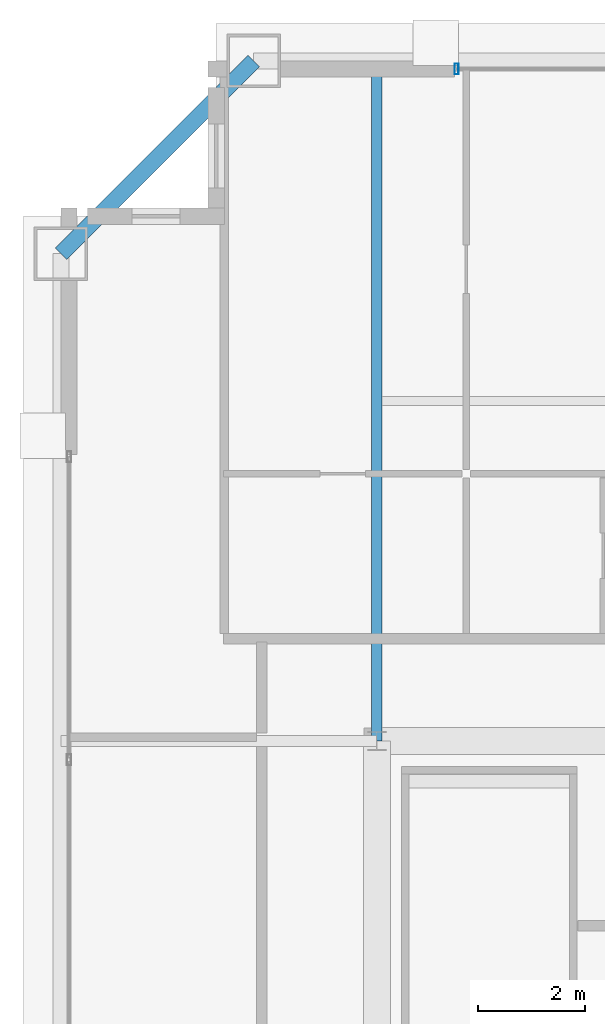
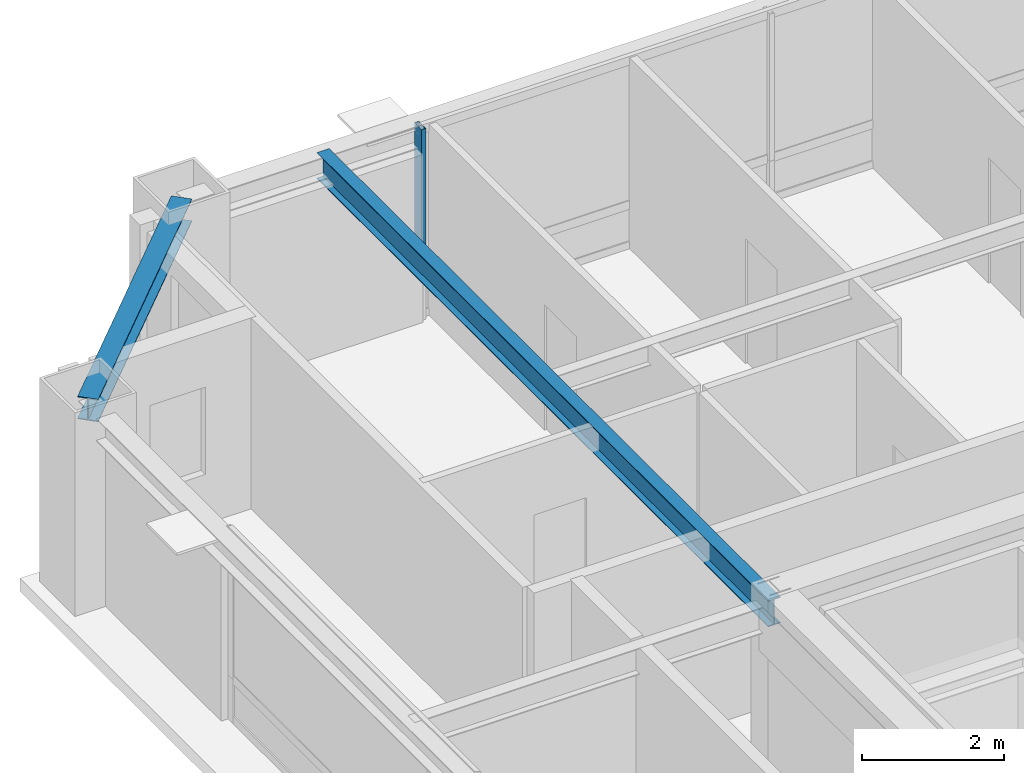
# One storey, part 16 of 35: 2 beams, 1 member, 1 element without a shape of its own.
"""IFC4 building model written with IfcOpenShell, lengths in metres."""

from ifc_helpers import new_model, si_unit, direction, frame, origin, origin_2d, place, context, subcontext, project, spatial, hollow_rectangle, i_section, extrude, source, transform, mapped, material, layer, layer_set, material_profile, profile_set, type_object, element, aggregate, save


model = new_model("IFC4")

# Units and contexts
model_context = context("Model", 3, precision=1e-05, world=origin(), true_north=direction((0.0, 1.0)))
body_context = subcontext(model_context, "Body", "Model", "MODEL_VIEW")
ifc_project = project(units=[si_unit("LENGTHUNIT", "METRE"), si_unit("AREAUNIT", "SQUARE_METRE"), si_unit("VOLUMEUNIT", "CUBIC_METRE"), si_unit("PLANEANGLEUNIT", "RADIAN"), si_unit("MASSUNIT", "GRAM", prefix="KILO"), si_unit("THERMODYNAMICTEMPERATUREUNIT", "KELVIN"), si_unit("POWERUNIT", "WATT")], contexts=[model_context])

# Site, building, storey
site_placement = place(None, origin())
site = spatial("IfcSite", under=ifc_project, at=site_placement, CompositionType="ELEMENT")
building_placement = place(site_placement, origin())
building = spatial("IfcBuilding", under=site, at=building_placement, Name="Yuzanri Waterfront Tower", CompositionType="ELEMENT")
storey_placement = place(building_placement, frame((0.0, 0.0, 296.10009765625)))
storey = spatial("IfcBuildingStorey", under=building, at=storey_placement, Name="L79", CompositionType="ELEMENT", Elevation=296.10009765625)

# Beams
ifc_material_1 = material(Name="Steel Q355B", Category="steel")
ifc_material_profile_1 = material_profile(ifc_material_1, i_section(OverallWidth=0.300048828125, OverallDepth=0.389892578125, WebThickness=0.010009765625, FlangeThickness=0.01611328125, at=origin_2d()), Name="HM 390x300x10x16")
ifc_profile_set_1 = profile_set([ifc_material_profile_1], Name="Steel Q355B")
beam_type_1 = type_object("IfcBeamType", Name="Perimeter Spandrel Q355B HM 390x300", PredefinedType="SPANDREL", material=ifc_profile_set_1)
shared_shape_1 = source(origin(), body_context, "Body", "SweptSolid", [
    extrude(i_section(OverallWidth=0.300048828125, OverallDepth=0.389892578125, WebThickness=0.010009765625, FlangeThickness=0.01611328125, at=origin_2d()), origin(), (0.0, 0.0, 1.0), 5.091064453125),
])
beam_1_placement = place(storey_placement, frame((21.5, 44.89990234375, 3.0849609375), z_axis=(-0.707130757816, -0.707082803744, 0.0), x_axis=(0.707082803744, -0.707130757816, 0.0)))
element("IfcBeam", 1, at=beam_1_placement, inside=storey, type_object=beam_type_1, Name="L79 Perimeter Spandrel N1-W3", PredefinedType="SPANDREL", context=body_context, shape_type="MappedRepresentation", body=[
    mapped(shared_shape_1, transform((0.0, 0.0, 0.0), scale=1.0)),
])
ifc_material_2 = material(Name="Steel Q355B", Category="steel")
ifc_material_profile_2 = material_profile(ifc_material_2, i_section(OverallWidth=0.199951171875, OverallDepth=0.449951171875, WebThickness=0.009033203125, FlangeThickness=0.013916015625, at=origin_2d()), Name="HN 450x200x9x14")
ifc_profile_set_2 = profile_set([ifc_material_profile_2], Name="Steel Q355B")
beam_type_2 = type_object("IfcBeamType", Name="Secondary Floor Beam Q355B HN 450x200", PredefinedType="BEAM", material=ifc_profile_set_2)
shared_shape_2 = source(origin(), body_context, "Body", "SweptSolid", [
    extrude(i_section(OverallWidth=0.199951171875, OverallDepth=0.449951171875, WebThickness=0.009033203125, FlangeThickness=0.013916015625, at=origin_2d()), origin(), (0.0, 0.0, 1.0), 12.699951171875),
])
beam_2_placement = place(storey_placement, frame((23.800048828125, 32.199951171875, 3.054931640625), z_axis=(0.0, 1.0, 0.0), x_axis=(-1.0, 0.0, 0.0)))
element("IfcBeam", 2, at=beam_2_placement, inside=storey, type_object=beam_type_2, Name="L79 North-West Core Line Beam", PredefinedType="BEAM", context=body_context, shape_type="MappedRepresentation", body=[
    mapped(shared_shape_2, transform((0.0, 0.0, 0.0), scale=1.0)),
])

# Curtain wall, member
ifc_material_3 = material(Name="Anodized Architectural Bronze", Category="metal")
ifc_layer = layer(ifc_material_3, 0.159912109375)
ifc_layer_set = layer_set([ifc_layer], Name="Anodized Architectural Bronze")
curtain_wall_type = type_object("IfcCurtainWallType", Name="Anodized Bronze High-Rise Penthouse High-Wind Unitized Curtain Wall 6900", PredefinedType="NOTDEFINED", material=ifc_layer_set)
curtain_wall_placement = place(storey_placement, origin())
curtain_wall = element("IfcCurtainWall", 3, at=curtain_wall_placement, inside=storey, type_object=curtain_wall_type, Name="L79 Curtain Wall CW-L79-NL", PredefinedType="NOTDEFINED")
ifc_material_4 = material(Name="Anodized Architectural Bronze", Category="metal")
ifc_material_profile_3 = material_profile(ifc_material_4, hollow_rectangle(XDim=0.074951171875, YDim=0.199951171875, WallThickness=0.00390625, at=origin_2d()), Name="CWM 75x200")
ifc_profile_set_3 = profile_set([ifc_material_profile_3], Name="Anodized Architectural Bronze")
member_type = type_object("IfcMemberType", Name="Anodized Bronze Primary Curtain-Wall Mullion 75x200", PredefinedType="MULLION", material=ifc_profile_set_3)
shared_shape_3 = source(origin(), body_context, "Body", "SweptSolid", [
    extrude(hollow_rectangle(XDim=0.074951171875, YDim=0.199951171875, WallThickness=0.00390625, at=origin_2d()), origin(), (0.0, 0.0, 1.0), 2.52392578125),
])
member_placement = place(storey_placement, frame((25.2900390625, 44.75, 0.755859375), z_axis=(0.0, 0.0, 1.0), x_axis=(1.0, 0.0, 0.0)))
member = element("IfcMember", 4, at=member_placement, type_object=member_type, Name="CW-L79-NL Upper Mullion 00", PredefinedType="MULLION", context=body_context, shape_type="MappedRepresentation", body=[
    mapped(shared_shape_3, transform((0.0, 0.0, 0.0), scale=1.0)),
])
aggregate(curtain_wall, [member])

save(model, "model.ifc")
